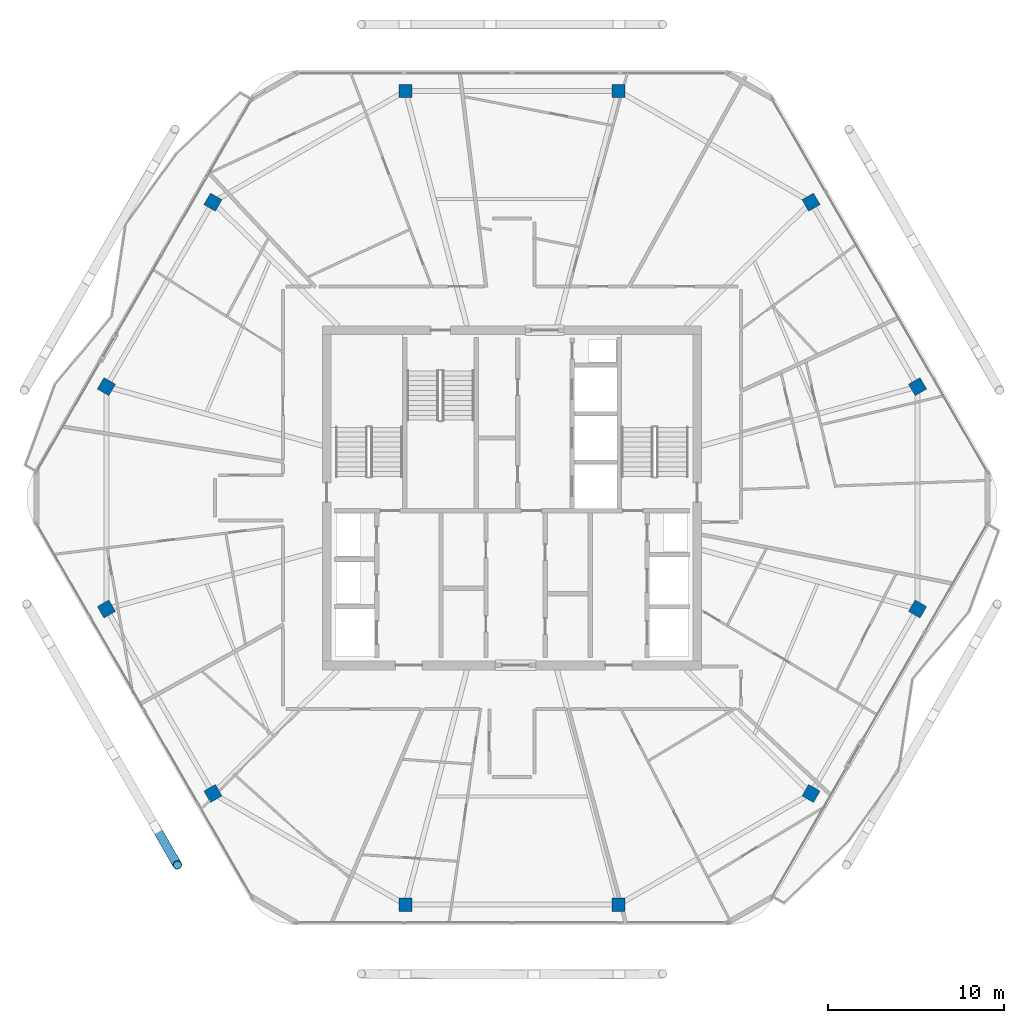
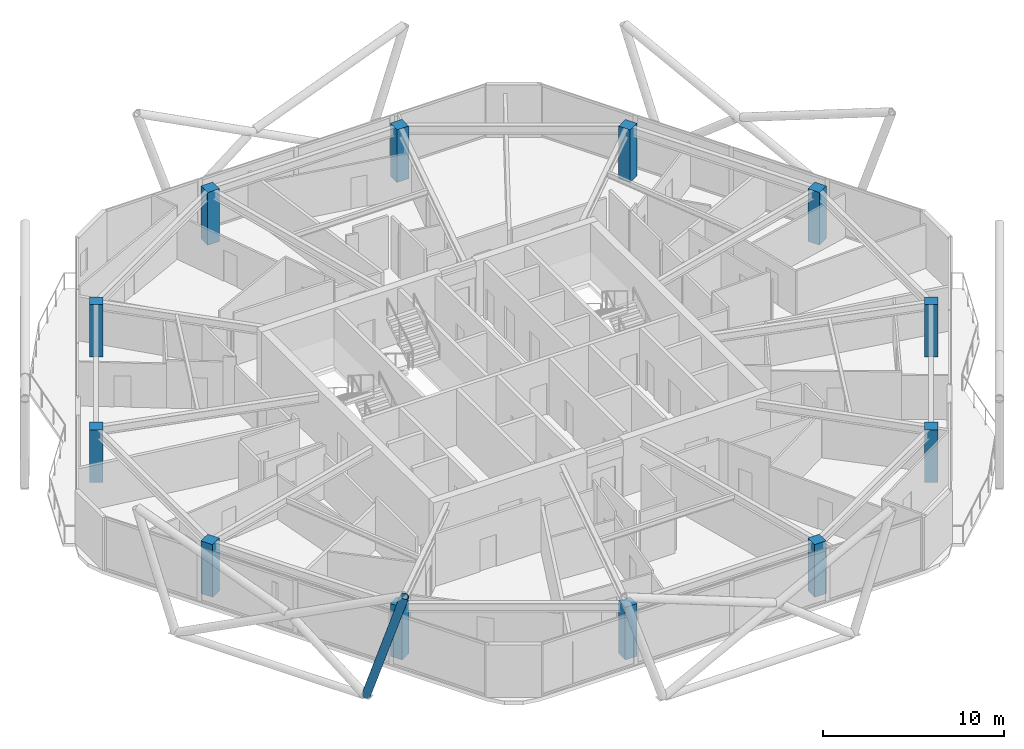
# One storey, part 1 of 24: 12 columns, 1 member.
"""IFC4 building model written with IfcOpenShell, lengths in metres."""

from ifc_helpers import new_model, si_unit, direction, frame, origin, origin_2d, place, context, subcontext, project, spatial, rectangle, hollow_circle, extrude, material, material_profile, profile_set, type_object, element, save


model = new_model("IFC4")

# Units and contexts
model_context = context("Model", 3, precision=1e-05, world=origin(), true_north=direction((0.0, 1.0)))
body_context = subcontext(model_context, "Body", "Model", "MODEL_VIEW")
ifc_project = project(units=[si_unit("LENGTHUNIT", "METRE"), si_unit("AREAUNIT", "SQUARE_METRE"), si_unit("VOLUMEUNIT", "CUBIC_METRE"), si_unit("PLANEANGLEUNIT", "RADIAN"), si_unit("MASSUNIT", "GRAM", prefix="KILO")], contexts=[model_context])

# Site, building, storey
site_placement = place(None, origin())
site = spatial("IfcSite", under=ifc_project, at=site_placement, CompositionType="ELEMENT")
building_placement = place(site_placement, origin())
building = spatial("IfcBuilding", under=site, at=building_placement, Name="Zuhravey Tower", CompositionType="ELEMENT")
storey_placement = place(building_placement, frame((0.0, 0.0, 338.60009765625)))
storey = spatial("IfcBuildingStorey", under=building, at=storey_placement, Name="L86", CompositionType="ELEMENT", Elevation=338.60009765625)

# Columns
ifc_material_1 = material(Name="Concrete C50/60", Category="concrete")
ifc_material_profile_1 = material_profile(ifc_material_1, rectangle(XDim=0.75, YDim=0.75, at=origin_2d()), Name="RC-750x750")
ifc_profile_set_1 = profile_set([ifc_material_profile_1], Name="Concrete C50/60")
column_type = type_object("IfcColumnType", Name="Zone 4 Upper Column 750x750", PredefinedType="COLUMN", material=ifc_profile_set_1)
for number, where, z_axis, x_axis, name in (
    (1, (58.993408203125, 38.302490234375, 0.0), (0.0, 0.0, 1.0), (-0.5, 0.866025403784, 0.0), "L86 Perimeter Column PC01"),
    (2, (52.95458984375, 48.76171875, 0.0), (0.0, 0.0, 1.0), (-0.5, 0.866025403784, 0.0), "L86 Perimeter Column PC02"),
    (3, (42.038818359375, 55.064208984375, 0.0), (0.0, 0.0, 1.0), (-1.0, 0.0, 0.0), "L86 Perimeter Column PC03"),
    (4, (29.961181640625, 55.064208984375, 0.0), (0.0, 0.0, 1.0), (-1.0, 0.0, 0.0), "L86 Perimeter Column PC04"),
    (5, (19.04541015625, 48.76171875, 0.0), (0.0, 0.0, 1.0), (-0.5, -0.866025403784, 0.0), "L86 Perimeter Column PC05"),
    (6, (13.006591796875, 38.302490234375, 0.0), (0.0, 0.0, 1.0), (-0.5, -0.866025403784, 0.0), "L86 Perimeter Column PC06"),
    (7, (13.006591796875, 25.697509765625, 0.0), (0.0, 0.0, 1.0), (0.5, -0.866025403784, 0.0), "L86 Perimeter Column PC07"),
    (8, (19.04541015625, 15.23828125, 0.0), (0.0, 0.0, 1.0), (0.5, -0.866025403784, 0.0), "L86 Perimeter Column PC08"),
    (9, (29.961181640625, 8.935791015625, 0.0), (0.0, 0.0, 1.0), (1.0, 0.0, 0.0), "L86 Perimeter Column PC09"),
    (10, (42.038818359375, 8.935791015625, 0.0), (0.0, 0.0, 1.0), (1.0, 0.0, 0.0), "L86 Perimeter Column PC10"),
    (11, (52.95458984375, 15.23828125, 0.0), (0.0, 0.0, 1.0), (0.5, 0.866025403784, 0.0), "L86 Perimeter Column PC11"),
    (12, (58.993408203125, 25.697509765625, 0.0), (0.0, 0.0, 1.0), (0.5, 0.866025403784, 0.0), "L86 Perimeter Column PC12"),
):
    element("IfcColumn", number, at=place(storey_placement, frame(where, z_axis=z_axis, x_axis=x_axis)), inside=storey, type_object=column_type, Name=name, PredefinedType="COLUMN", context=body_context, shape_type="SweptSolid", body=[
        extrude(rectangle(XDim=0.75, YDim=0.75, at=origin_2d()), origin(), (0.0, 0.0, 1.0), 3.5498046875),
    ])

# Member
ifc_material_2 = material(Name="Steel SM355", Category="steel")
ifc_material_profile_2 = material_profile(ifc_material_2, hollow_circle(Radius=0.25390625, WallThickness=0.02490234375, at=origin_2d()), Name="CHS-508.0x25")
ifc_profile_set_2 = profile_set([ifc_material_profile_2], Name="Steel SM355")
member_type = type_object("IfcMemberType", Name="Exoskeleton Zone 4 Diagrid CHS508x25", PredefinedType="BRACE", material=ifc_profile_set_2)
member_placement = place(storey_placement, frame((15.79736328125, 13.323974609375, -0.447998046875), z_axis=(0.155230970352, -0.268878930867, 0.950582698338), x_axis=(0.866034263809, 0.499984653673, 0.0)))
element("IfcMember", 13, at=member_placement, inside=storey, type_object=member_type, Name="L86 Face 4 Diagrid Brace 4", PredefinedType="BRACE", context=body_context, shape_type="SweptSolid", body=[
    extrude(hollow_circle(Radius=0.25390625, WallThickness=0.02490234375, at=origin_2d()), origin(), (0.0, 0.0, 1.0), 7.961181640625),
])

save(model, "model.ifc")
